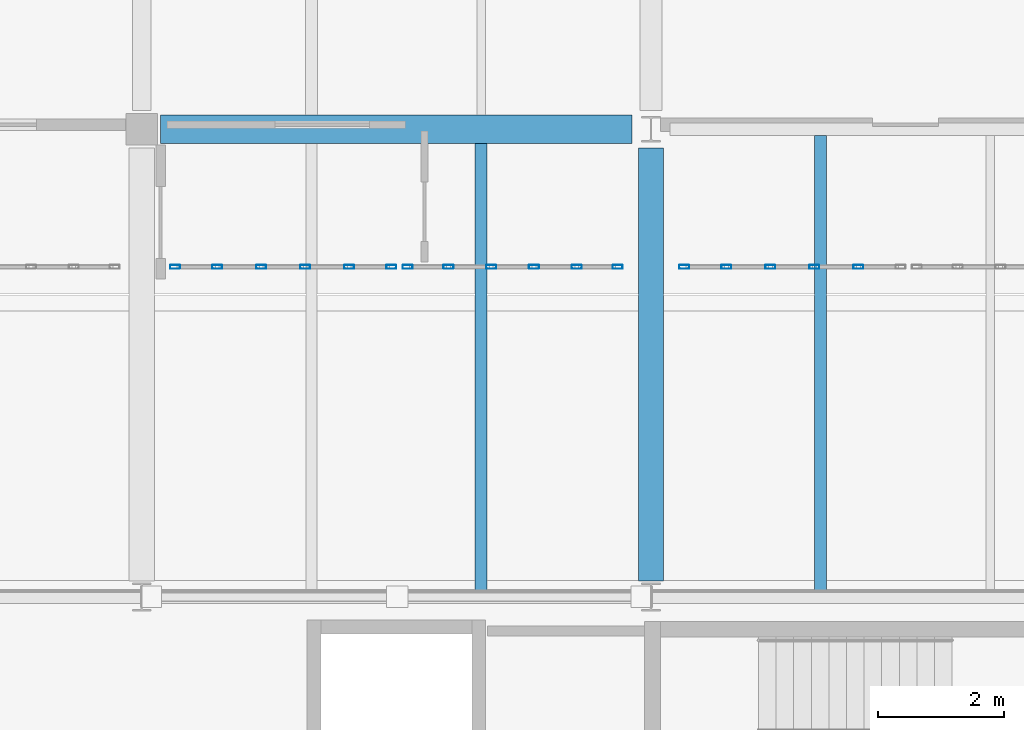
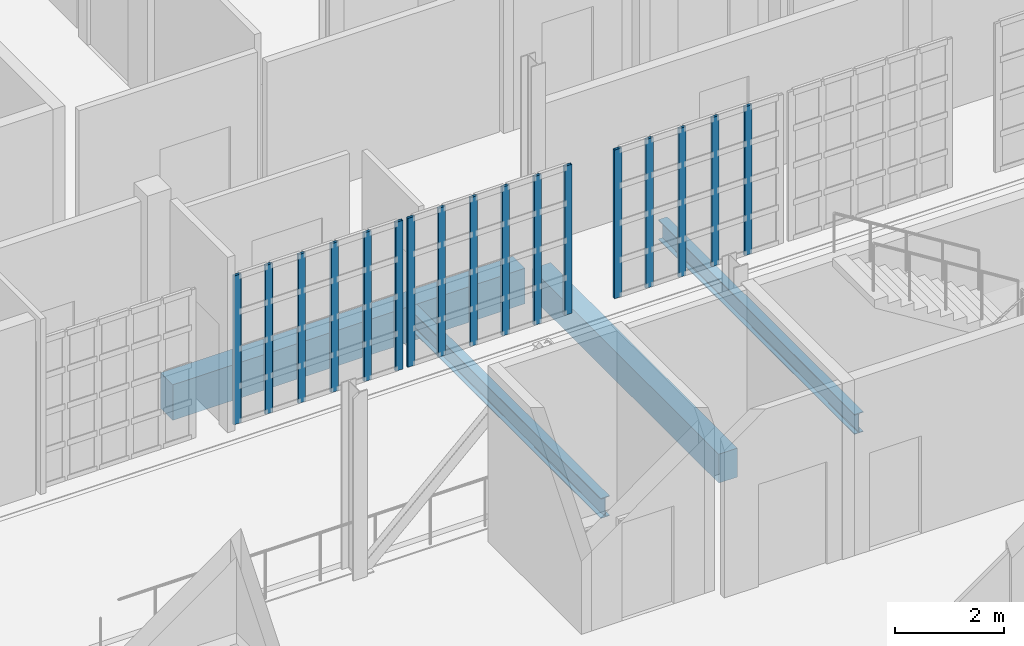
# One storey, part 6 of 25: 17 members, 4 beams, 3 elements without a shape of their own.
"""IFC4 building model written with IfcOpenShell, lengths in metres."""

from ifc_helpers import new_model, si_unit, direction, frame, origin, origin_2d, place, context, subcontext, project, spatial, rectangle, hollow_rectangle, i_section, extrude, material, material_profile, profile_set, type_object, element, aggregate, save


model = new_model("IFC4")

# Units and contexts
model_context = context("Model", 3, precision=1e-05, world=origin(), true_north=direction((0.0, 1.0)))
body_context = subcontext(model_context, "Body", "Model", "MODEL_VIEW")
ifc_project = project(units=[si_unit("LENGTHUNIT", "METRE"), si_unit("AREAUNIT", "SQUARE_METRE"), si_unit("VOLUMEUNIT", "CUBIC_METRE"), si_unit("PLANEANGLEUNIT", "RADIAN"), si_unit("MASSUNIT", "GRAM", prefix="KILO")], contexts=[model_context])

# Site, building, storey
site_placement = place(None, origin())
site = spatial("IfcSite", under=ifc_project, at=site_placement, CompositionType="ELEMENT")
building_placement = place(site_placement, origin())
building = spatial("IfcBuilding", under=site, at=building_placement, Name="Kaelora Sail Theatre", CompositionType="ELEMENT")
storey_placement = place(building_placement, frame((0.0, 0.0, 19.199951171875)))
storey = spatial("IfcBuildingStorey", under=building, at=storey_placement, Name="L04", CompositionType="ELEMENT", Elevation=19.199951171875)

# Curtain wall, members
ifc_material_1 = material(Name="Anodised aluminium and solar-control low-E IGU", Category="aluminium")
curtain_wall_type = type_object("IfcCurtainWallType", Name="ARC-CW-CW-CLR", PredefinedType="NOTDEFINED", material=ifc_material_1)
curtain_wall_1_placement = place(storey_placement, origin())
curtain_wall_1 = element("IfcCurtainWall", 1, at=curtain_wall_1_placement, inside=storey, type_object=curtain_wall_type, Name="Glazed Foyer/Conservatory Curtain Wall NW2-S-L04-02", PredefinedType="NOTDEFINED")
ifc_material_2 = material(Name="Anodised aluminium 6063-T6", Category="aluminium")
ifc_material_profile_1 = material_profile(ifc_material_2, hollow_rectangle(XDim=0.06005859375, YDim=0.159912109375, WallThickness=0.00390625, InnerFilletRadius=0.00390625, OuterFilletRadius=0.008056640625, at=origin_2d()), Name="ALU-MULL 60x160x4")
ifc_profile_set_1 = profile_set([ifc_material_profile_1], Name="Anodised aluminium 6063-T6")
member_type = type_object("IfcMemberType", Name="ARC-MEM-ML-160", PredefinedType="MULLION", material=ifc_profile_set_1)
member_1_placement = place(storey_placement, frame((42.530029296875, 88.590087890625, 0.0), z_axis=(0.0, 0.0, 1.0), x_axis=(0.0, 1.0, 0.0)))
member_1 = element("IfcMember", 2, at=member_1_placement, type_object=member_type, Name="CW-CLR mullion 1", PredefinedType="MULLION", context=body_context, shape_type="SweptSolid", body=[
    extrude(hollow_rectangle(XDim=0.06005859375, YDim=0.159912109375, WallThickness=0.00390625, InnerFilletRadius=0.00390625, OuterFilletRadius=0.008056640625, at=origin_2d()), origin(), (0.0, 0.0, 1.0), 3.34716796875),
])
member_2_placement = place(storey_placement, frame((43.199951171875, 88.590087890625, 0.0), z_axis=(0.0, 0.0, 1.0), x_axis=(0.0, 1.0, 0.0)))
member_2 = element("IfcMember", 3, at=member_2_placement, type_object=member_type, Name="CW-CLR mullion 2", PredefinedType="MULLION", context=body_context, shape_type="SweptSolid", body=[
    extrude(hollow_rectangle(XDim=0.06005859375, YDim=0.159912109375, WallThickness=0.00390625, InnerFilletRadius=0.00390625, OuterFilletRadius=0.008056640625, at=origin_2d()), origin(), (0.0, 0.0, 1.0), 3.34716796875),
])
member_3_placement = place(storey_placement, frame((43.89990234375, 88.590087890625, 0.0), z_axis=(0.0, 0.0, 1.0), x_axis=(0.0, 1.0, 0.0)))
member_3 = element("IfcMember", 4, at=member_3_placement, type_object=member_type, Name="CW-CLR mullion 3", PredefinedType="MULLION", context=body_context, shape_type="SweptSolid", body=[
    extrude(hollow_rectangle(XDim=0.06005859375, YDim=0.159912109375, WallThickness=0.00390625, InnerFilletRadius=0.00390625, OuterFilletRadius=0.008056640625, at=origin_2d()), origin(), (0.0, 0.0, 1.0), 3.34716796875),
])
member_4_placement = place(storey_placement, frame((44.60009765625, 88.590087890625, 0.0), z_axis=(0.0, 0.0, 1.0), x_axis=(0.0, 1.0, 0.0)))
member_4 = element("IfcMember", 5, at=member_4_placement, type_object=member_type, Name="CW-CLR mullion 4", PredefinedType="MULLION", context=body_context, shape_type="SweptSolid", body=[
    extrude(hollow_rectangle(XDim=0.06005859375, YDim=0.159912109375, WallThickness=0.00390625, InnerFilletRadius=0.00390625, OuterFilletRadius=0.008056640625, at=origin_2d()), origin(), (0.0, 0.0, 1.0), 3.34716796875),
])
member_5_placement = place(storey_placement, frame((45.300048828125, 88.590087890625, 0.0), z_axis=(0.0, 0.0, 1.0), x_axis=(0.0, 1.0, 0.0)))
member_5 = element("IfcMember", 6, at=member_5_placement, type_object=member_type, Name="CW-CLR mullion 5", PredefinedType="MULLION", context=body_context, shape_type="SweptSolid", body=[
    extrude(hollow_rectangle(XDim=0.06005859375, YDim=0.159912109375, WallThickness=0.00390625, InnerFilletRadius=0.00390625, OuterFilletRadius=0.008056640625, at=origin_2d()), origin(), (0.0, 0.0, 1.0), 3.34716796875),
])
member_6_placement = place(storey_placement, frame((45.969970703125, 88.590087890625, 0.0), z_axis=(0.0, 0.0, 1.0), x_axis=(0.0, 1.0, 0.0)))
member_6 = element("IfcMember", 7, at=member_6_placement, type_object=member_type, Name="CW-CLR mullion 6", PredefinedType="MULLION", context=body_context, shape_type="SweptSolid", body=[
    extrude(hollow_rectangle(XDim=0.06005859375, YDim=0.159912109375, WallThickness=0.00390625, InnerFilletRadius=0.00390625, OuterFilletRadius=0.008056640625, at=origin_2d()), origin(), (0.0, 0.0, 1.0), 3.34716796875),
])
aggregate(curtain_wall_1, [member_1, member_2, member_3, member_4, member_5, member_6])

curtain_wall_2_placement = place(storey_placement, origin())
curtain_wall_2 = element("IfcCurtainWall", 8, at=curtain_wall_2_placement, inside=storey, type_object=curtain_wall_type, Name="Glazed Foyer/Conservatory Curtain Wall NW2-S-L04-03", PredefinedType="NOTDEFINED")
member_7_placement = place(storey_placement, frame((46.22998046875, 88.590087890625, 0.0), z_axis=(0.0, 0.0, 1.0), x_axis=(0.0, 1.0, 0.0)))
member_7 = element("IfcMember", 9, at=member_7_placement, type_object=member_type, Name="CW-CLR mullion 1", PredefinedType="MULLION", context=body_context, shape_type="SweptSolid", body=[
    extrude(hollow_rectangle(XDim=0.06005859375, YDim=0.159912109375, WallThickness=0.00390625, InnerFilletRadius=0.00390625, OuterFilletRadius=0.008056640625, at=origin_2d()), origin(), (0.0, 0.0, 1.0), 3.34716796875),
])
member_8_placement = place(storey_placement, frame((46.8798828125, 88.590087890625, 0.0), z_axis=(0.0, 0.0, 1.0), x_axis=(0.0, 1.0, 0.0)))
member_8 = element("IfcMember", 10, at=member_8_placement, type_object=member_type, Name="CW-CLR mullion 2", PredefinedType="MULLION", context=body_context, shape_type="SweptSolid", body=[
    extrude(hollow_rectangle(XDim=0.06005859375, YDim=0.159912109375, WallThickness=0.00390625, InnerFilletRadius=0.00390625, OuterFilletRadius=0.008056640625, at=origin_2d()), origin(), (0.0, 0.0, 1.0), 3.34716796875),
])
member_9_placement = place(storey_placement, frame((47.56005859375, 88.590087890625, 0.0), z_axis=(0.0, 0.0, 1.0), x_axis=(0.0, 1.0, 0.0)))
member_9 = element("IfcMember", 11, at=member_9_placement, type_object=member_type, Name="CW-CLR mullion 3", PredefinedType="MULLION", context=body_context, shape_type="SweptSolid", body=[
    extrude(hollow_rectangle(XDim=0.06005859375, YDim=0.159912109375, WallThickness=0.00390625, InnerFilletRadius=0.00390625, OuterFilletRadius=0.008056640625, at=origin_2d()), origin(), (0.0, 0.0, 1.0), 3.34716796875),
])
member_10_placement = place(storey_placement, frame((48.239990234375, 88.590087890625, 0.0), z_axis=(0.0, 0.0, 1.0), x_axis=(0.0, 1.0, 0.0)))
member_10 = element("IfcMember", 12, at=member_10_placement, type_object=member_type, Name="CW-CLR mullion 4", PredefinedType="MULLION", context=body_context, shape_type="SweptSolid", body=[
    extrude(hollow_rectangle(XDim=0.06005859375, YDim=0.159912109375, WallThickness=0.00390625, InnerFilletRadius=0.00390625, OuterFilletRadius=0.008056640625, at=origin_2d()), origin(), (0.0, 0.0, 1.0), 3.34716796875),
])
member_11_placement = place(storey_placement, frame((48.919921875, 88.590087890625, 0.0), z_axis=(0.0, 0.0, 1.0), x_axis=(0.0, 1.0, 0.0)))
member_11 = element("IfcMember", 13, at=member_11_placement, type_object=member_type, Name="CW-CLR mullion 5", PredefinedType="MULLION", context=body_context, shape_type="SweptSolid", body=[
    extrude(hollow_rectangle(XDim=0.06005859375, YDim=0.159912109375, WallThickness=0.00390625, InnerFilletRadius=0.00390625, OuterFilletRadius=0.008056640625, at=origin_2d()), origin(), (0.0, 0.0, 1.0), 3.34716796875),
])
member_12_placement = place(storey_placement, frame((49.570068359375, 88.590087890625, 0.0), z_axis=(0.0, 0.0, 1.0), x_axis=(0.0, 1.0, 0.0)))
member_12 = element("IfcMember", 14, at=member_12_placement, type_object=member_type, Name="CW-CLR mullion 6", PredefinedType="MULLION", context=body_context, shape_type="SweptSolid", body=[
    extrude(hollow_rectangle(XDim=0.06005859375, YDim=0.159912109375, WallThickness=0.00390625, InnerFilletRadius=0.00390625, OuterFilletRadius=0.008056640625, at=origin_2d()), origin(), (0.0, 0.0, 1.0), 3.34716796875),
])
aggregate(curtain_wall_2, [member_7, member_8, member_9, member_10, member_11, member_12])

curtain_wall_3_placement = place(storey_placement, origin())
curtain_wall_3 = element("IfcCurtainWall", 15, at=curtain_wall_3_placement, inside=storey, type_object=curtain_wall_type, Name="Glazed Foyer/Conservatory Curtain Wall NW2-S-L04-04", PredefinedType="NOTDEFINED")
member_13_placement = place(storey_placement, frame((50.6298828125, 88.590087890625, 0.0), z_axis=(0.0, 0.0, 1.0), x_axis=(0.0, 1.0, 0.0)))
member_13 = element("IfcMember", 16, at=member_13_placement, type_object=member_type, Name="CW-CLR mullion 1", PredefinedType="MULLION", context=body_context, shape_type="SweptSolid", body=[
    extrude(hollow_rectangle(XDim=0.06005859375, YDim=0.159912109375, WallThickness=0.00390625, InnerFilletRadius=0.00390625, OuterFilletRadius=0.008056640625, at=origin_2d()), origin(), (0.0, 0.0, 1.0), 3.34716796875),
])
member_14_placement = place(storey_placement, frame((51.300048828125, 88.590087890625, 0.0), z_axis=(0.0, 0.0, 1.0), x_axis=(0.0, 1.0, 0.0)))
member_14 = element("IfcMember", 17, at=member_14_placement, type_object=member_type, Name="CW-CLR mullion 2", PredefinedType="MULLION", context=body_context, shape_type="SweptSolid", body=[
    extrude(hollow_rectangle(XDim=0.06005859375, YDim=0.159912109375, WallThickness=0.00390625, InnerFilletRadius=0.00390625, OuterFilletRadius=0.008056640625, at=origin_2d()), origin(), (0.0, 0.0, 1.0), 3.34716796875),
])
member_15_placement = place(storey_placement, frame((52.0, 88.590087890625, 0.0), z_axis=(0.0, 0.0, 1.0), x_axis=(0.0, 1.0, 0.0)))
member_15 = element("IfcMember", 18, at=member_15_placement, type_object=member_type, Name="CW-CLR mullion 3", PredefinedType="MULLION", context=body_context, shape_type="SweptSolid", body=[
    extrude(hollow_rectangle(XDim=0.06005859375, YDim=0.159912109375, WallThickness=0.00390625, InnerFilletRadius=0.00390625, OuterFilletRadius=0.008056640625, at=origin_2d()), origin(), (0.0, 0.0, 1.0), 3.34716796875),
])
member_16_placement = place(storey_placement, frame((52.699951171875, 88.590087890625, 0.0), z_axis=(0.0, 0.0, 1.0), x_axis=(0.0, 1.0, 0.0)))
member_16 = element("IfcMember", 19, at=member_16_placement, type_object=member_type, Name="CW-CLR mullion 4", PredefinedType="MULLION", context=body_context, shape_type="SweptSolid", body=[
    extrude(hollow_rectangle(XDim=0.06005859375, YDim=0.159912109375, WallThickness=0.00390625, InnerFilletRadius=0.00390625, OuterFilletRadius=0.008056640625, at=origin_2d()), origin(), (0.0, 0.0, 1.0), 3.34716796875),
])
member_17_placement = place(storey_placement, frame((53.39990234375, 88.590087890625, 0.0), z_axis=(0.0, 0.0, 1.0), x_axis=(0.0, 1.0, 0.0)))
member_17 = element("IfcMember", 20, at=member_17_placement, type_object=member_type, Name="CW-CLR mullion 5", PredefinedType="MULLION", context=body_context, shape_type="SweptSolid", body=[
    extrude(hollow_rectangle(XDim=0.06005859375, YDim=0.159912109375, WallThickness=0.00390625, InnerFilletRadius=0.00390625, OuterFilletRadius=0.008056640625, at=origin_2d()), origin(), (0.0, 0.0, 1.0), 3.34716796875),
])
aggregate(curtain_wall_3, [member_13, member_14, member_15, member_16, member_17])

# Beams
ifc_material_3 = material(Name="Steel S355", Category="steel")
ifc_material_profile_2 = material_profile(ifc_material_3, i_section(OverallWidth=0.18994140625, OverallDepth=0.449951171875, WebThickness=0.009521484375, FlangeThickness=0.0146484375, FilletRadius=0.02099609375, at=origin_2d()), Name="IPE 450")
ifc_profile_set_2 = profile_set([ifc_material_profile_2], Name="Steel S355")
beam_type_1 = type_object("IfcBeamType", Name="STR-BM-BM-IPE450", PredefinedType="BEAM", material=ifc_profile_set_2)
beam_1_placement = place(storey_placement, frame((47.39990234375, 83.445068359375, -0.47998046875), z_axis=(0.0, 1.0, 0.0), x_axis=(-1.0, 0.0, 0.0)))
element("IfcBeam", 21, at=beam_1_placement, inside=storey, type_object=beam_type_1, Name="Secondary floor joist 6/L-2 (L04)", PredefinedType="BEAM", context=body_context, shape_type="SweptSolid", body=[
    extrude(i_section(OverallWidth=0.18994140625, OverallDepth=0.449951171875, WebThickness=0.009521484375, FlangeThickness=0.0146484375, FilletRadius=0.02099609375, at=origin_2d()), origin(), (0.0, 0.0, 1.0), 7.10986328125),
])
beam_2_placement = place(storey_placement, frame((52.800048828125, 83.445068359375, -0.47998046875), z_axis=(0.0, 1.0, 0.0), x_axis=(-1.0, 0.0, 0.0)))
element("IfcBeam", 22, at=beam_2_placement, inside=storey, type_object=beam_type_1, Name="Secondary floor joist 7/L-1 (L04)", PredefinedType="BEAM", context=body_context, shape_type="SweptSolid", body=[
    extrude(i_section(OverallWidth=0.18994140625, OverallDepth=0.449951171875, WebThickness=0.009521484375, FlangeThickness=0.0146484375, FilletRadius=0.02099609375, at=origin_2d()), origin(), (0.0, 0.0, 1.0), 7.23486328125),
])
ifc_material_4 = material(Name="Concrete C40/50", Category="concrete")
ifc_material_profile_3 = material_profile(ifc_material_4, rectangle(XDim=0.39990234375, YDim=0.64990234375, at=origin_2d()), Name="RC-BM 400x650")
ifc_profile_set_3 = profile_set([ifc_material_profile_3], Name="Concrete C40/50")
beam_type_2 = type_object("IfcBeamType", Name="STR-BM-BM-RC4065", PredefinedType="BEAM", material=ifc_profile_set_3)
beam_3_placement = place(storey_placement, frame((50.10009765625, 83.590087890625, -0.579833984375), z_axis=(0.0, 1.0, 0.0), x_axis=(-1.0, 0.0, 0.0)))
element("IfcBeam", 23, at=beam_3_placement, inside=storey, type_object=beam_type_2, Name="Primary beam 7 L-M (L04)", PredefinedType="BEAM", context=body_context, shape_type="SweptSolid", body=[
    extrude(rectangle(XDim=0.39990234375, YDim=0.64990234375, at=origin_2d()), origin(), (0.0, 0.0, 1.0), 6.889892578125),
])
ifc_material_5 = material(Name="Concrete C45/55", Category="concrete")
ifc_material_profile_4 = material_profile(ifc_material_5, rectangle(XDim=0.449951171875, YDim=0.800048828125, at=origin_2d()), Name="RC-BM 450x800")
ifc_profile_set_4 = profile_set([ifc_material_profile_4], Name="Concrete C45/55")
beam_type_3 = type_object("IfcBeamType", Name="STR-BM-BM-RC4580", PredefinedType="BEAM", material=ifc_profile_set_4)
beam_4_placement = place(storey_placement, frame((42.300048828125, 90.780029296875, -0.655029296875), z_axis=(1.0, 0.0, 0.0), x_axis=(0.0, 1.0, 0.0)))
element("IfcBeam", 24, at=beam_4_placement, inside=storey, type_object=beam_type_3, Name="Primary beam M 6-7 (L04)", PredefinedType="BEAM", context=body_context, shape_type="SweptSolid", body=[
    extrude(rectangle(XDim=0.449951171875, YDim=0.800048828125, at=origin_2d()), origin(), (0.0, 0.0, 1.0), 7.5),
])

save(model, "model.ifc")
